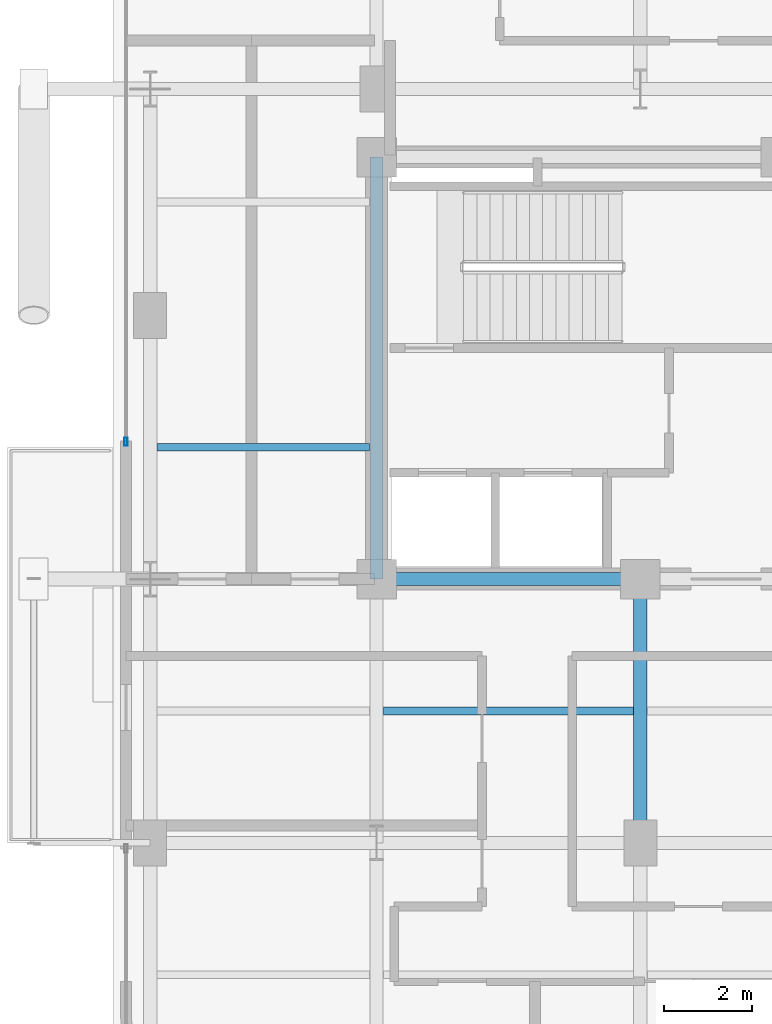
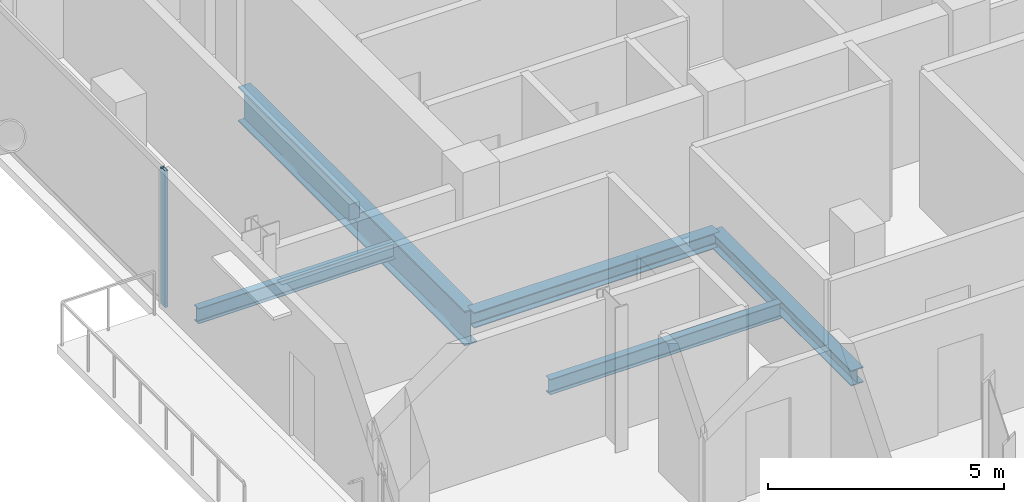
# One storey, part 7 of 21: 5 beams, 1 member, 1 element without a shape of its own.
"""IFC4 building model written with IfcOpenShell, lengths in metres."""

from ifc_helpers import new_model, si_unit, direction, frame, origin, origin_2d, place, context, subcontext, project, spatial, hollow_rectangle, i_section, extrude, material, layer, layer_set, material_profile, profile_set, type_object, element, aggregate, save


model = new_model("IFC4")

# Units and contexts
model_context = context("Model", 3, precision=1e-05, world=origin(), true_north=direction((0.0, 1.0)))
body_context = subcontext(model_context, "Body", "Model", "MODEL_VIEW")
ifc_project = project(units=[si_unit("LENGTHUNIT", "METRE"), si_unit("AREAUNIT", "SQUARE_METRE"), si_unit("VOLUMEUNIT", "CUBIC_METRE"), si_unit("PLANEANGLEUNIT", "RADIAN"), si_unit("MASSUNIT", "GRAM", prefix="KILO"), si_unit("THERMODYNAMICTEMPERATUREUNIT", "KELVIN"), si_unit("POWERUNIT", "WATT")], contexts=[model_context])

# Site, building, storey
site_placement = place(None, origin())
site = spatial("IfcSite", under=ifc_project, at=site_placement, CompositionType="ELEMENT")
building_placement = place(site_placement, origin())
building = spatial("IfcBuilding", under=site, at=building_placement, Name="Svarakhadi Broadcast Tower", CompositionType="ELEMENT")
storey_placement = place(building_placement, frame((0.0, 0.0, 187.949951171875)))
storey = spatial("IfcBuildingStorey", under=building, at=storey_placement, Name="L46", CompositionType="ELEMENT", Elevation=187.949951171875)

# Beams
ifc_material_1 = material(Name="Steel S355J2 (IS 2062 E350C)", Category="steel")
ifc_material_profile_1 = material_profile(ifc_material_1, i_section(OverallWidth=0.179931640625, OverallDepth=0.39990234375, WebThickness=0.008544921875, FlangeThickness=0.013427734375, FilletRadius=0.02099609375, at=origin_2d()), Name="NPB 400x180x66")
ifc_profile_set_1 = profile_set([ifc_material_profile_1], Name="Steel S355J2 (IS 2062 E350C)")
beam_type_1 = type_object("IfcBeamType", Name="Beam_NPB400", PredefinedType="BEAM", material=ifc_profile_set_1)
beam_1_placement = place(storey_placement, frame((1.010009765625, 21.0, -0.409912109375), z_axis=(1.0, 0.0, 0.0), x_axis=(0.0, 1.0, 0.0)))
element("IfcBeam", 1, at=beam_1_placement, inside=storey, type_object=beam_type_1, Name="L46 Secondary Composite Beam SB003", PredefinedType="BEAM", context=body_context, shape_type="SweptSolid", body=[
    extrude(i_section(OverallWidth=0.179931640625, OverallDepth=0.39990234375, WebThickness=0.008544921875, FlangeThickness=0.013427734375, FilletRadius=0.02099609375, at=origin_2d()), origin(), (0.0, 0.0, 1.0), 4.830078125),
])
beam_2_placement = place(storey_placement, frame((6.159912109375, 15.0, -0.409912109375), z_axis=(1.0, 0.0, 0.0), x_axis=(0.0, 1.0, 0.0)))
element("IfcBeam", 2, at=beam_2_placement, inside=storey, type_object=beam_type_1, Name="L46 Secondary Composite Beam SB007", PredefinedType="BEAM", context=body_context, shape_type="SweptSolid", body=[
    extrude(i_section(OverallWidth=0.179931640625, OverallDepth=0.39990234375, WebThickness=0.008544921875, FlangeThickness=0.013427734375, FilletRadius=0.02099609375, at=origin_2d()), origin(), (0.0, 0.0, 1.0), 5.68017578125),
])

# Curtain wall, member
ifc_material_2 = material(Name="Anodised Bronze Aluminium AA 6063-T6", Category="aluminium")
ifc_layer = layer(ifc_material_2, 0.18994140625)
ifc_layer_set = layer_set([ifc_layer], Name="Anodised Bronze Aluminium AA 6063-T6")
curtain_wall_type = type_object("IfcCurtainWallType", Name="CW_Sys_04", PredefinedType="NOTDEFINED", material=ifc_layer_set)
curtain_wall_placement = place(storey_placement, origin())
curtain_wall = element("IfcCurtainWall", 3, at=curtain_wall_placement, inside=storey, type_object=curtain_wall_type, Name="L46 West Curtain Wall 03", PredefinedType="NOTDEFINED")
ifc_material_profile_2 = material_profile(ifc_material_2, hollow_rectangle(XDim=0.070068359375, YDim=0.18994140625, WallThickness=0.005615234375, at=origin_2d()), Name="ALU MULLION 190x70x6")
ifc_profile_set_2 = profile_set([ifc_material_profile_2], Name="Anodised Bronze Aluminium AA 6063-T6")
member_type = type_object("IfcMemberType", Name="CW_Sys_04_Mul", PredefinedType="MULLION", material=ifc_profile_set_2)
member_placement = place(storey_placement, frame((0.300048828125, 21.125, 0.0), z_axis=(0.0, 0.0, 1.0), x_axis=(-1.0, 0.0, 0.0)))
member = element("IfcMember", 4, at=member_placement, type_object=member_type, Name="CW-04 mullion 1", PredefinedType="MULLION", context=body_context, shape_type="SweptSolid", body=[
    extrude(hollow_rectangle(XDim=0.070068359375, YDim=0.18994140625, WallThickness=0.005615234375, at=origin_2d()), origin(), (0.0, 0.0, 1.0), 3.5400390625),
])
aggregate(curtain_wall, [member])

# Beams
ifc_material_profile_3 = material_profile(ifc_material_1, i_section(OverallWidth=0.300048828125, OverallDepth=0.39990234375, WebThickness=0.013427734375, FlangeThickness=0.02392578125, FilletRadius=0.027099609375, at=origin_2d()), Name="WPB 400x300x155")
ifc_profile_set_3 = profile_set([ifc_material_profile_3], Name="Steel S355J2 (IS 2062 E350C)")
beam_type_2 = type_object("IfcBeamType", Name="Girder_WPB400", PredefinedType="USERDEFINED", material=ifc_profile_set_3)
for number, where, z_axis, x_axis, name in (
    (5, (6.0, 18.0, -0.409912109375), (1.0, 0.0, 0.0), (0.0, 1.0, 0.0), "L46 Primary E-W Girder G021"),
    (6, (12.0, 12.0, -0.409912109375), (0.0, 1.0, 0.0), (-1.0, 0.0, 0.0), "L46 Primary N-S Girder G044"),
):
    element("IfcBeam", number, at=place(storey_placement, frame(where, z_axis=z_axis, x_axis=x_axis)), inside=storey, type_object=beam_type_2, Name=name, ObjectType="GIRDER", PredefinedType="USERDEFINED", context=body_context, shape_type="SweptSolid", body=[
        extrude(i_section(OverallWidth=0.300048828125, OverallDepth=0.39990234375, WebThickness=0.013427734375, FlangeThickness=0.02392578125, FilletRadius=0.027099609375, at=origin_2d()), origin(), (0.0, 0.0, 1.0), 6.0),
    ])
ifc_material_3 = material(Name="Steel S460ML (IS 2062 E450BR)", Category="steel")
ifc_material_profile_4 = material_profile(ifc_material_3, i_section(OverallWidth=0.300048828125, OverallDepth=0.89990234375, WebThickness=0.0185546875, FlangeThickness=0.034912109375, FilletRadius=0.030029296875, at=origin_2d()), Name="WPB 900x300x291")
ifc_profile_set_4 = profile_set([ifc_material_profile_4], Name="Steel S460ML (IS 2062 E450BR)")
beam_type_3 = type_object("IfcBeamType", Name="Girder_WPB900", PredefinedType="USERDEFINED", material=ifc_profile_set_4)
beam_3_placement = place(storey_placement, frame((6.0, 18.0, -0.659912109375), z_axis=(0.0, 1.0, 0.0), x_axis=(-1.0, 0.0, 0.0)))
element("IfcBeam", 7, at=beam_3_placement, inside=storey, type_object=beam_type_3, Name="L46 Primary N-S Girder G040", ObjectType="GIRDER", PredefinedType="USERDEFINED", context=body_context, shape_type="SweptSolid", body=[
    extrude(i_section(OverallWidth=0.300048828125, OverallDepth=0.89990234375, WebThickness=0.0185546875, FlangeThickness=0.034912109375, FilletRadius=0.030029296875, at=origin_2d()), origin(), (0.0, 0.0, 1.0), 9.60009765625),
])

save(model, "model.ifc")
